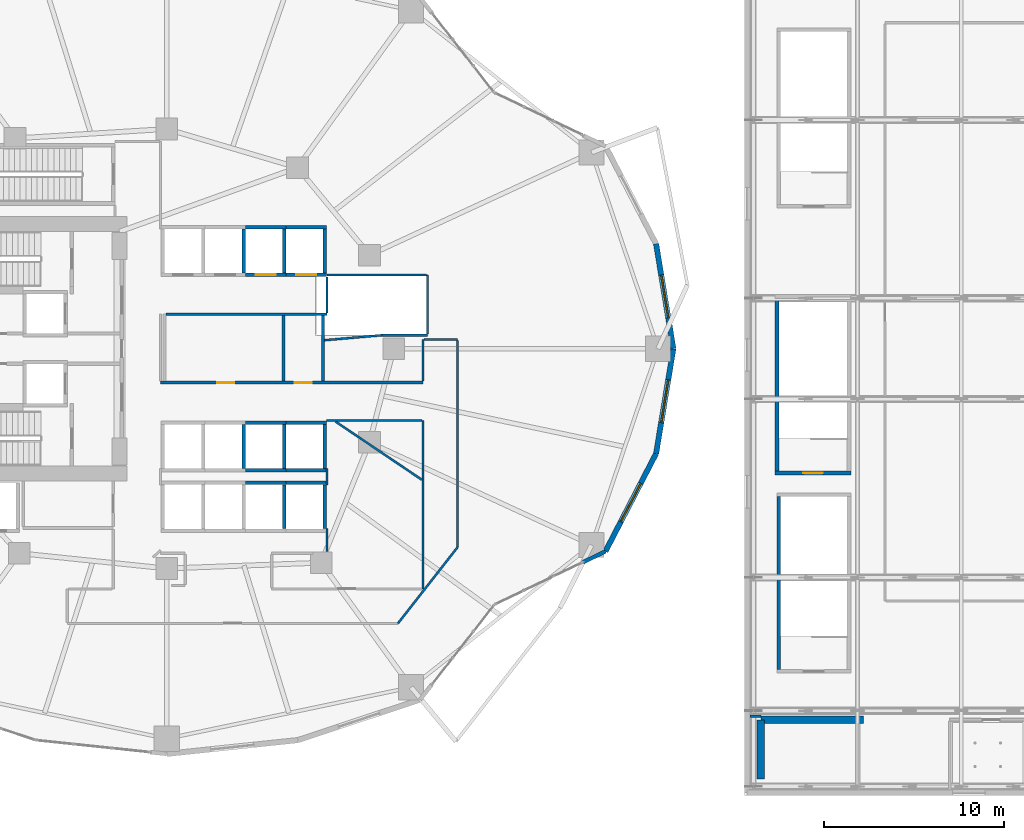
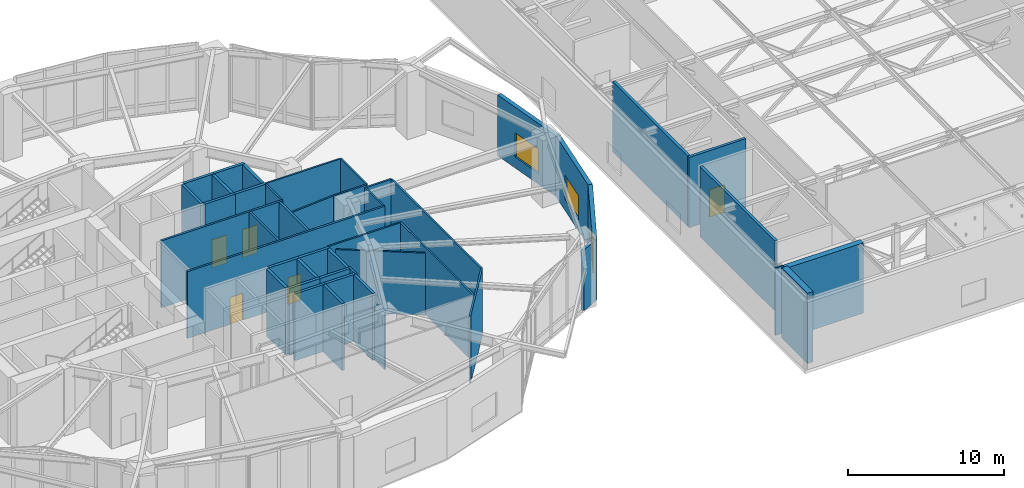
# One storey, part 23 of 29: 46 walls, 5 doors, 3 windows, 8 openings.
"""IFC4 building model written with IfcOpenShell, lengths in metres."""

from ifc_helpers import new_model, si_unit, direction, frame, frame_2d, origin, place, context, subcontext, project, spatial, rectangle, extrude, material, layer, layer_set, type_object, element, fill, save


model = new_model("IFC4")

# Units and contexts
model_context = context("Model", 3, precision=1e-05, world=origin(), true_north=direction((0.0, 1.0)))
body_context = subcontext(model_context, "Body", "Model", "MODEL_VIEW")
ifc_project = project(units=[si_unit("LENGTHUNIT", "METRE"), si_unit("AREAUNIT", "SQUARE_METRE"), si_unit("VOLUMEUNIT", "CUBIC_METRE"), si_unit("PLANEANGLEUNIT", "RADIAN"), si_unit("MASSUNIT", "GRAM", prefix="KILO")], contexts=[model_context])

# Site, building, storey
site_placement = place(None, origin())
site = spatial("IfcSite", under=ifc_project, at=site_placement, CompositionType="ELEMENT")
building_placement = place(site_placement, origin())
building = spatial("IfcBuilding", under=site, at=building_placement, Name="Kolvaren Gate Tower and Convention Centre", CompositionType="ELEMENT")
storey_placement = place(building_placement, frame((0.0, 0.0, 21.0)))
storey = spatial("IfcBuildingStorey", under=building, at=storey_placement, Name="L04", CompositionType="ELEMENT", Elevation=21.0)

# Walls
ifc_material_1 = material(Name="Fire-Rated Acoustic Gypsum Stud Partition", Category="gypsum")
ifc_layer_1 = layer(ifc_material_1, 0.1201171875)
ifc_layer_set_1 = layer_set([ifc_layer_1], Name="Fire-Rated Acoustic Gypsum Stud Partition")
wall_type_1 = type_object("IfcWallType", Name="ARCH-WL-PART-120", PredefinedType="PARTITIONING", material=ifc_layer_set_1)
wall_1_placement = place(storey_placement, frame((39.02001953125, 15.741943359375, 0.0), z_axis=(0.0, 0.0, 1.0), x_axis=(0.0, 1.0, 0.0)))
element("IfcWall", 1, at=wall_1_placement, inside=storey, type_object=wall_type_1, Name="Interior Partition WL-L04-INT-020", PredefinedType="PARTITIONING", context=body_context, shape_type="SweptSolid", body=[
    extrude(rectangle(XDim=1.26806640625, YDim=0.1201171875, at=frame_2d((0.634033203125, 0.0))), origin(), (0.0, 0.0, 1.0), 4.4541015625),
])
wall_2_placement = place(storey_placement, frame((39.02001953125, 19.43994140625, 0.0), z_axis=(0.0, 0.0, 1.0), x_axis=(0.0, 1.0, 0.0)))
element("IfcWall", 2, at=wall_2_placement, inside=storey, type_object=wall_type_1, Name="Interior Partition WL-L04-INT-020 (2)", PredefinedType="PARTITIONING", context=body_context, shape_type="SweptSolid", body=[
    extrude(rectangle(XDim=0.920166015625, YDim=0.1201171875, at=frame_2d((0.4599609375, 0.0))), origin(), (0.0, 0.0, 1.0), 5.219970703125),
])
wall_3_placement = place(storey_placement, frame((39.02001953125, 28.9970703125, 0.0), z_axis=(0.0, 0.0, 1.0), x_axis=(0.0, 1.0, 0.0)))
element("IfcWall", 3, at=wall_3_placement, inside=storey, type_object=wall_type_1, Name="Interior Partition WL-L04-INT-021", PredefinedType="PARTITIONING", context=body_context, shape_type="SweptSolid", body=[
    extrude(rectangle(XDim=1.98291015625, YDim=0.1201171875, at=frame_2d((0.991455078125, 0.0))), origin(), (0.0, 0.0, 1.0), 5.219970703125),
])
wall_4_placement = place(storey_placement, frame((44.35009765625, 13.669921875, 0.0), z_axis=(0.0, 0.0, 1.0), x_axis=(0.0, 1.0, 0.0)))
element("IfcWall", 4, at=wall_4_placement, inside=storey, type_object=wall_type_1, Name="Interior Partition WL-L04-INT-022", PredefinedType="PARTITIONING", context=body_context, shape_type="SweptSolid", body=[
    extrude(rectangle(XDim=9.35009765625, YDim=0.1201171875, at=frame_2d((4.675048828125, 0.0))), origin(), (0.0, 0.0, 1.0), 5.219970703125),
])
wall_5_placement = place(storey_placement, frame((44.35009765625, 25.197021484375, 0.0), z_axis=(0.0, 0.0, 1.0), x_axis=(0.0, 1.0, 0.0)))
element("IfcWall", 5, at=wall_5_placement, inside=storey, type_object=wall_type_1, Name="Interior Partition WL-L04-INT-023", PredefinedType="PARTITIONING", context=body_context, shape_type="SweptSolid", body=[
    extrude(rectangle(XDim=2.31298828125, YDim=0.1201171875, at=frame_2d((1.156494140625, 0.0))), origin(), (0.0, 0.0, 1.0), 5.219970703125),
])
wall_6_placement = place(storey_placement, frame((44.412109375, 27.510009765625, 0.0), z_axis=(0.0, 0.0, 1.0), x_axis=(1.0, 0.0, 0.0)))
element("IfcWall", 6, at=wall_6_placement, inside=storey, type_object=wall_type_1, Name="Interior Partition WL-L04-INT-024", PredefinedType="PARTITIONING", context=body_context, shape_type="SweptSolid", body=[
    extrude(rectangle(XDim=1.85791015625, YDim=0.1201171875, at=frame_2d((0.928955078125, 0.0))), origin(), (0.0, 0.0, 1.0), 5.219970703125),
])
wall_7_placement = place(storey_placement, frame((46.27001953125, 15.98193359375, 0.0), z_axis=(0.0, 0.0, 1.0), x_axis=(0.0, 1.0, 0.0)))
element("IfcWall", 7, at=wall_7_placement, inside=storey, type_object=wall_type_1, Name="Interior Partition WL-L04-INT-025", PredefinedType="PARTITIONING", context=body_context, shape_type="SweptSolid", body=[
    extrude(rectangle(XDim=11.466064453125, YDim=0.1201171875, at=frame_2d((5.73291015625, 0.0))), origin(), (0.0, 0.0, 1.0), 5.219970703125),
])
wall_8_placement = place(storey_placement, frame((42.95703125, 11.75, 0.0), z_axis=(0.0, 0.0, 1.0), x_axis=(0.616428289415, 0.78741105149, 0.0)))
element("IfcWall", 8, at=wall_8_placement, inside=storey, type_object=wall_type_1, Name="Interior Partition WL-L04-INT-026", PredefinedType="PARTITIONING", context=body_context, shape_type="SweptSolid", body=[
    extrude(rectangle(XDim=5.37451171875, YDim=0.1201171875, at=frame_2d((2.687255859375, 0.0))), origin(), (0.0, 0.0, 1.0), 5.219970703125),
])
wall_9_placement = place(storey_placement, frame((39.0, 23.02001953125, 0.0), z_axis=(0.0, 0.0, 1.0), x_axis=(1.0, 0.0, 0.0)))
element("IfcWall", 9, at=wall_9_placement, inside=storey, type_object=wall_type_1, Name="Interior Partition WL-L04-INT-036", PredefinedType="PARTITIONING", context=body_context, shape_type="SweptSolid", body=[
    extrude(rectangle(XDim=5.2880859375, YDim=0.1201171875, at=frame_2d((2.64404296875, 0.0))), origin(), (0.0, 0.0, 1.0), 5.219970703125),
])
wall_10_placement = place(storey_placement, frame((38.876953125, 27.470703125, 0.0), z_axis=(0.0, 0.0, 1.0), x_axis=(0.996203375591, 0.087056501541, 0.0)))
element("IfcWall", 10, at=wall_10_placement, inside=storey, type_object=wall_type_1, Name="Interior Partition WL-L04-INT-040", PredefinedType="PARTITIONING", context=body_context, shape_type="SweptSolid", body=[
    extrude(rectangle(XDim=3.208251953125, YDim=0.1201171875, at=frame_2d((1.60400390625, 0.0))), origin(), (0.0, 0.0, 1.0), 5.219970703125),
])
wall_11_placement = place(storey_placement, frame((42.072998046875, 27.75, 0.0), z_axis=(0.0, 0.0, 1.0), x_axis=(1.0, 0.0, 0.0)))
element("IfcWall", 11, at=wall_11_placement, inside=storey, type_object=wall_type_1, Name="Interior Partition WL-L04-INT-041", PredefinedType="PARTITIONING", context=body_context, shape_type="SweptSolid", body=[
    extrude(rectangle(XDim=2.527099609375, YDim=0.1201171875, at=frame_2d((1.263671875, 0.0))), origin(), (0.0, 0.0, 1.0), 5.219970703125),
])
wall_12_placement = place(storey_placement, frame((44.60009765625, 27.81201171875, 0.0), z_axis=(0.0, 0.0, 1.0), x_axis=(0.0, 1.0, 0.0)))
element("IfcWall", 12, at=wall_12_placement, inside=storey, type_object=wall_type_1, Name="Interior Partition WL-L04-INT-042", PredefinedType="PARTITIONING", context=body_context, shape_type="SweptSolid", body=[
    extrude(rectangle(XDim=3.2880859375, YDim=0.1201171875, at=frame_2d((1.64404296875, 0.0))), origin(), (0.0, 0.0, 1.0), 5.219970703125),
])
wall_13_placement = place(storey_placement, frame((39.02001953125, 31.10009765625, 0.0), z_axis=(0.0, 0.0, 1.0), x_axis=(1.0, 0.0, 0.0)))
element("IfcWall", 13, at=wall_13_placement, inside=storey, type_object=wall_type_1, Name="Interior Partition WL-L04-INT-043", PredefinedType="PARTITIONING", context=body_context, shape_type="SweptSolid", body=[
    extrude(rectangle(XDim=5.51806640625, YDim=0.1201171875, at=frame_2d((2.759033203125, 0.0))), origin(), (0.0, 0.0, 1.0), 5.219970703125),
])
wall_14_placement = place(storey_placement, frame((39.492919921875, 22.9580078125, 0.0), z_axis=(0.0, 0.0, 1.0), x_axis=(0.829057566687, -0.559163259808, 0.0)))
element("IfcWall", 14, at=wall_14_placement, inside=storey, type_object=wall_type_1, Name="Interior Partition WL-L04-INT-044", PredefinedType="PARTITIONING", context=body_context, shape_type="SweptSolid", body=[
    extrude(rectangle(XDim=5.783935546875, YDim=0.1201171875, at=frame_2d((2.89208984375, 0.0))), origin(), (0.0, 0.0, 1.0), 4.85498046875),
])
wall_15_placement = place(storey_placement, frame((62.501953125, 6.60009765625, 0.0), z_axis=(0.0, 0.0, 1.0), x_axis=(1.0, 0.0, 0.0)))
element("IfcWall", 15, at=wall_15_placement, inside=storey, type_object=wall_type_1, Name="Interior Partition WL-L04-INT-045", PredefinedType="PARTITIONING", context=body_context, shape_type="SweptSolid", body=[
    extrude(rectangle(XDim=0.59814453125, YDim=0.1201171875, at=frame_2d((0.299072265625, 0.0))), origin(), (0.0, 0.0, 1.0), 5.25),
])
ifc_material_2 = material(Name="Bogota Sabana Bush-Hammered Sandstone Cladding", Category="masonry")
ifc_layer_2 = layer(ifc_material_2, 0.219970703125)
ifc_layer_set_2 = layer_set([ifc_layer_2], Name="Bogota Sabana Bush-Hammered Sandstone Cladding")
wall_type_2 = type_object("IfcWallType", Name="ARCH-WL-PIER-220", PredefinedType="SOLIDWALL", material=ifc_layer_set_2)
wall_16_placement = place(storey_placement, frame((53.23681640625, 15.151611328125, 0.0), z_axis=(0.0, 0.0, 1.0), x_axis=(0.901316119915, 0.433161923512, 0.0)))
element("IfcWall", 16, at=wall_16_placement, inside=storey, type_object=wall_type_2, Name="Tower L04 Unitised Curtain Wall CW-POD-GLZ Bay 21 Right Column Pier Wrap", PredefinedType="SOLIDWALL", context=body_context, shape_type="SweptSolid", body=[
    extrude(rectangle(XDim=1.38134765625, YDim=0.219970703125, at=frame_2d((0.690673828125, 0.0))), origin(), (0.0, 0.0, 1.0), 4.742919921875),
])
ifc_material_3 = material(Name="Autoclaved Aerated Masonry Blockwork Class 4 (4.0 MPa)", Category="masonry")
ifc_layer_3 = layer(ifc_material_3, 0.199951171875)
ifc_layer_set_3 = layer_set([ifc_layer_3], Name="Autoclaved Aerated Masonry Blockwork Class 4 (4.0 MPa)")
wall_type_3 = type_object("IfcWallType", Name="ARCH-WL-SHAFT-200", PredefinedType="SOLIDWALL", material=ifc_layer_set_3)
wall_17_placement = place(storey_placement, frame((34.39990234375, 31.2099609375, 0.0), z_axis=(0.0, 0.0, 1.0), x_axis=(0.0, 1.0, 0.0)))
element("IfcWall", 17, at=wall_17_placement, inside=storey, type_object=wall_type_3, Name="Elevator PL-02 L04 Fire Shaft Wall E", PredefinedType="SOLIDWALL", context=body_context, shape_type="SweptSolid", body=[
    extrude(rectangle(XDim=2.429931640625, YDim=0.199951171875, at=frame_2d((1.21484375, 0.0))), origin(), (0.0, 0.0, 1.0), 5.219970703125),
])
wall_18_placement = place(storey_placement, frame((34.5, 33.75, 0.0), z_axis=(0.0, 0.0, 1.0), x_axis=(1.0, 0.0, 0.0)))
element("IfcWall", 18, at=wall_18_placement, inside=storey, type_object=wall_type_3, Name="Elevator PL-03 L04 Fire Shaft Wall N", PredefinedType="SOLIDWALL", context=body_context, shape_type="SweptSolid", body=[
    extrude(rectangle(XDim=2.25, YDim=0.199951171875, at=frame_2d((1.125, 0.0))), origin(), (0.0, 0.0, 1.0), 5.219970703125),
])

# Wall, opening, door
wall_19_placement = place(storey_placement, frame((34.5, 31.10009765625, 0.0), z_axis=(0.0, 0.0, 1.0), x_axis=(1.0, 0.0, 0.0)))
wall_19 = element("IfcWall", 19, at=wall_19_placement, inside=storey, type_object=wall_type_3, Name="Elevator PL-03 L04 Fire Shaft Wall S", PredefinedType="SOLIDWALL", context=body_context, shape_type="SweptSolid", body=[
    extrude(rectangle(XDim=2.25, YDim=0.199951171875, at=frame_2d((1.125, 0.0))), origin(), (0.0, 0.0, 1.0), 5.219970703125),
])
opening_1_placement = place(wall_19_placement, frame((0.574951171875, 0.0, 0.0)))
opening_1 = element("IfcOpeningElement", 20, at=opening_1_placement, cuts=wall_19, Name="Opening LD", PredefinedType="OPENING", context=body_context, shape_type="SweptSolid", body=[
    extrude(rectangle(XDim=1.10009765625, YDim=2.199951171875, at=frame_2d((0.550048828125, 1.10009765625))), frame((0.0, 0.10986328125, 0.0), z_axis=(0.0, -1.0, 0.0), x_axis=(1.0, 0.0, 0.0)), (0.0, 0.0, 1.0), 0.219970703125),
])
ifc_material_4 = material(Name="Brushed Stainless Steel Grade 316L", Category="steel")
door_type_1 = type_object("IfcDoorType", Name="ARCH-DR-LIFT-1100", OperationType="SLIDING_TO_LEFT", PredefinedType="DOOR", material=ifc_material_4)
door_1_placement = place(opening_1_placement, origin())
door_1 = element("IfcDoor", 21, at=door_1_placement, inside=storey, type_object=door_type_1, Name="Elevator PL-03 L04 Sliding Landing Door", OperationType="SLIDING_TO_LEFT", OverallHeight=2.199951171875, OverallWidth=1.10009765625, PredefinedType="DOOR", context=body_context, shape_type="SweptSolid", body=[
    extrude(rectangle(XDim=1.10009765625, YDim=2.199951171875, at=frame_2d((0.550048828125, 1.10009765625))), frame((0.0, 0.02490234375, 0.0), z_axis=(0.0, -1.0, 0.0), x_axis=(1.0, 0.0, 0.0)), (0.0, 0.0, 1.0), 0.050048828125),
])
fill(opening_1, door_1)

# Walls
wall_20_placement = place(storey_placement, frame((36.64990234375, 31.2099609375, 0.0), z_axis=(0.0, 0.0, 1.0), x_axis=(0.0, 1.0, 0.0)))
element("IfcWall", 22, at=wall_20_placement, inside=storey, type_object=wall_type_3, Name="Elevator PL-03 L04 Fire Shaft Wall E", PredefinedType="SOLIDWALL", context=body_context, shape_type="SweptSolid", body=[
    extrude(rectangle(XDim=2.429931640625, YDim=0.199951171875, at=frame_2d((1.21484375, 0.0))), origin(), (0.0, 0.0, 1.0), 5.219970703125),
])
wall_21_placement = place(storey_placement, frame((36.75, 33.75, 0.0), z_axis=(0.0, 0.0, 1.0), x_axis=(1.0, 0.0, 0.0)))
element("IfcWall", 23, at=wall_21_placement, inside=storey, type_object=wall_type_3, Name="Elevator PL-04 L04 Fire Shaft Wall N", PredefinedType="SOLIDWALL", context=body_context, shape_type="SweptSolid", body=[
    extrude(rectangle(XDim=2.25, YDim=0.199951171875, at=frame_2d((1.125, 0.0))), origin(), (0.0, 0.0, 1.0), 5.219970703125),
])

# Wall, opening, door
wall_22_placement = place(storey_placement, frame((36.75, 31.10009765625, 0.0), z_axis=(0.0, 0.0, 1.0), x_axis=(1.0, 0.0, 0.0)))
wall_22 = element("IfcWall", 24, at=wall_22_placement, inside=storey, type_object=wall_type_3, Name="Elevator PL-04 L04 Fire Shaft Wall S", PredefinedType="SOLIDWALL", context=body_context, shape_type="SweptSolid", body=[
    extrude(rectangle(XDim=2.25, YDim=0.199951171875, at=frame_2d((1.125, 0.0))), origin(), (0.0, 0.0, 1.0), 5.219970703125),
])
opening_2_placement = place(wall_22_placement, frame((0.574951171875, 0.0, 0.0)))
opening_2 = element("IfcOpeningElement", 25, at=opening_2_placement, cuts=wall_22, Name="Opening LD", PredefinedType="OPENING", context=body_context, shape_type="SweptSolid", body=[
    extrude(rectangle(XDim=1.10009765625, YDim=2.199951171875, at=frame_2d((0.550048828125, 1.10009765625))), frame((0.0, 0.10986328125, 0.0), z_axis=(0.0, -1.0, 0.0), x_axis=(1.0, 0.0, 0.0)), (0.0, 0.0, 1.0), 0.219970703125),
])
door_2_placement = place(opening_2_placement, origin())
door_2 = element("IfcDoor", 26, at=door_2_placement, inside=storey, type_object=door_type_1, Name="Elevator PL-04 L04 Sliding Landing Door", OperationType="SLIDING_TO_LEFT", OverallHeight=2.199951171875, OverallWidth=1.10009765625, PredefinedType="DOOR", context=body_context, shape_type="SweptSolid", body=[
    extrude(rectangle(XDim=1.10009765625, YDim=2.199951171875, at=frame_2d((0.550048828125, 1.10009765625))), frame((0.0, 0.02490234375, 0.0), z_axis=(0.0, -1.0, 0.0), x_axis=(1.0, 0.0, 0.0)), (0.0, 0.0, 1.0), 0.050048828125),
])
fill(opening_2, door_2)

# Walls
wall_23_placement = place(storey_placement, frame((38.89990234375, 31.2099609375, 0.0), z_axis=(0.0, 0.0, 1.0), x_axis=(0.0, 1.0, 0.0)))
element("IfcWall", 27, at=wall_23_placement, inside=storey, type_object=wall_type_3, Name="Elevator PL-04 L04 Fire Shaft Wall E", PredefinedType="SOLIDWALL", context=body_context, shape_type="SweptSolid", body=[
    extrude(rectangle(XDim=2.429931640625, YDim=0.199951171875, at=frame_2d((1.21484375, 0.0))), origin(), (0.0, 0.0, 1.0), 5.219970703125),
])
wall_24_placement = place(storey_placement, frame((34.5, 19.550048828125, 0.0), z_axis=(0.0, 0.0, 1.0), x_axis=(1.0, 0.0, 0.0)))
element("IfcWall", 28, at=wall_24_placement, inside=storey, type_object=wall_type_3, Name="Elevator PL-07 L04 Fire Shaft Wall N", PredefinedType="SOLIDWALL", context=body_context, shape_type="SweptSolid", body=[
    extrude(rectangle(XDim=2.25, YDim=0.199951171875, at=frame_2d((1.125, 0.0))), origin(), (0.0, 0.0, 1.0), 5.219970703125),
])
wall_25_placement = place(storey_placement, frame((36.64990234375, 17.010009765625, 0.0), z_axis=(0.0, 0.0, 1.0), x_axis=(0.0, 1.0, 0.0)))
element("IfcWall", 29, at=wall_25_placement, inside=storey, type_object=wall_type_3, Name="Elevator PL-07 L04 Fire Shaft Wall E", PredefinedType="SOLIDWALL", context=body_context, shape_type="SweptSolid", body=[
    extrude(rectangle(XDim=2.429931640625, YDim=0.199951171875, at=frame_2d((1.21484375, 0.0))), origin(), (0.0, 0.0, 1.0), 5.219970703125),
])
wall_26_placement = place(storey_placement, frame((36.75, 19.550048828125, 0.0), z_axis=(0.0, 0.0, 1.0), x_axis=(1.0, 0.0, 0.0)))
element("IfcWall", 30, at=wall_26_placement, inside=storey, type_object=wall_type_3, Name="Elevator PL-08 L04 Fire Shaft Wall N", PredefinedType="SOLIDWALL", context=body_context, shape_type="SweptSolid", body=[
    extrude(rectangle(XDim=2.25, YDim=0.199951171875, at=frame_2d((1.125, 0.0))), origin(), (0.0, 0.0, 1.0), 5.219970703125),
])
for number, where, z_axis, x_axis, name in (
    (31, (38.89990234375, 17.010009765625, 0.0), (0.0, 0.0, 1.0), (0.0, 1.0, 0.0), "Elevator PL-08 L04 Fire Shaft Wall E"),
    (32, (34.39990234375, 20.360107421875, 0.0), (0.0, 0.0, 1.0), (0.0, 1.0, 0.0), "Elevator PL-10 L04 Fire Shaft Wall E"),
):
    element("IfcWall", number, at=place(storey_placement, frame(where, z_axis=z_axis, x_axis=x_axis)), inside=storey, type_object=wall_type_3, Name=name, PredefinedType="SOLIDWALL", context=body_context, shape_type="SweptSolid", body=[
        extrude(rectangle(XDim=2.429931640625, YDim=0.199951171875, at=frame_2d((1.21484375, 0.0))), origin(), (0.0, 0.0, 1.0), 5.219970703125),
    ])
for number, where, z_axis, x_axis, name in (
    (33, (34.5, 22.89990234375, 0.0), (0.0, 0.0, 1.0), (1.0, 0.0, 0.0), "Elevator PL-11 L04 Fire Shaft Wall N"),
    (34, (34.5, 20.25, 0.0), (0.0, 0.0, 1.0), (1.0, 0.0, 0.0), "Elevator PL-11 L04 Fire Shaft Wall S"),
):
    element("IfcWall", number, at=place(storey_placement, frame(where, z_axis=z_axis, x_axis=x_axis)), inside=storey, type_object=wall_type_3, Name=name, PredefinedType="SOLIDWALL", context=body_context, shape_type="SweptSolid", body=[
        extrude(rectangle(XDim=2.25, YDim=0.199951171875, at=frame_2d((1.125, 0.0))), origin(), (0.0, 0.0, 1.0), 5.219970703125),
    ])
wall_27_placement = place(storey_placement, frame((36.64990234375, 20.360107421875, 0.0), z_axis=(0.0, 0.0, 1.0), x_axis=(0.0, 1.0, 0.0)))
element("IfcWall", 35, at=wall_27_placement, inside=storey, type_object=wall_type_3, Name="Elevator PL-11 L04 Fire Shaft Wall E", PredefinedType="SOLIDWALL", context=body_context, shape_type="SweptSolid", body=[
    extrude(rectangle(XDim=2.429931640625, YDim=0.199951171875, at=frame_2d((1.21484375, 0.0))), origin(), (0.0, 0.0, 1.0), 5.219970703125),
])
for number, where, z_axis, x_axis, name in (
    (36, (36.75, 22.89990234375, 0.0), (0.0, 0.0, 1.0), (1.0, 0.0, 0.0), "Elevator PL-12 L04 Fire Shaft Wall N"),
    (37, (36.75, 20.25, 0.0), (0.0, 0.0, 1.0), (1.0, 0.0, 0.0), "Elevator PL-12 L04 Fire Shaft Wall S"),
):
    element("IfcWall", number, at=place(storey_placement, frame(where, z_axis=z_axis, x_axis=x_axis)), inside=storey, type_object=wall_type_3, Name=name, PredefinedType="SOLIDWALL", context=body_context, shape_type="SweptSolid", body=[
        extrude(rectangle(XDim=2.25, YDim=0.199951171875, at=frame_2d((1.125, 0.0))), origin(), (0.0, 0.0, 1.0), 5.219970703125),
    ])
wall_28_placement = place(storey_placement, frame((38.89990234375, 20.360107421875, 0.0), z_axis=(0.0, 0.0, 1.0), x_axis=(0.0, 1.0, 0.0)))
element("IfcWall", 38, at=wall_28_placement, inside=storey, type_object=wall_type_3, Name="Elevator PL-12 L04 Fire Shaft Wall E", PredefinedType="SOLIDWALL", context=body_context, shape_type="SweptSolid", body=[
    extrude(rectangle(XDim=2.429931640625, YDim=0.199951171875, at=frame_2d((1.21484375, 0.0))), origin(), (0.0, 0.0, 1.0), 5.219970703125),
])

# Wall, opening, window
ifc_material_5 = material(Name="Piedmont Cream Honed Limestone Cladding", Category="masonry")
ifc_layer_4 = layer(ifc_material_5, 0.300048828125)
ifc_layer_set_4 = layer_set([ifc_layer_4], Name="Piedmont Cream Honed Limestone Cladding")
wall_type_4 = type_object("IfcWallType", Name="ARCH-WL-STONE-300", PredefinedType="SOLIDWALL", material=ifc_layer_set_4)
wall_29_placement = place(storey_placement, frame((57.291748046875, 32.823486328125, 0.0), z_axis=(0.0, 0.0, 1.0), x_axis=(0.162366057843, -0.98673059305, 0.0)))
wall_29 = element("IfcWall", 39, at=wall_29_placement, inside=storey, type_object=wall_type_4, Name="Tower L04 Honed Stone Spandrel Wall EW-00", PredefinedType="SOLIDWALL", context=body_context, shape_type="SweptSolid", body=[
    extrude(rectangle(XDim=5.90185546875, YDim=0.300048828125, at=frame_2d((2.950927734375, 0.0))), origin(), (0.0, 0.0, 1.0), 4.742919921875),
])
opening_3_placement = place(wall_29_placement, frame((1.7509765625, 0.0, 0.85009765625)))
opening_3 = element("IfcOpeningElement", 40, at=opening_3_placement, cuts=wall_29, Name="Opening W-01", PredefinedType="OPENING", context=body_context, shape_type="SweptSolid", body=[
    extrude(rectangle(XDim=2.39990234375, YDim=1.89990234375, at=frame_2d((1.199951171875, 0.949951171875))), frame((0.0, 0.159912109375, 0.0), z_axis=(0.0, -1.0, 0.0), x_axis=(1.0, 0.0, 0.0)), (0.0, 0.0, 1.0), 0.320068359375),
])
ifc_material_6 = material(Name="Low-E Triple Insulated Glazing Unit 44 mm", Category="glass")
window_type = type_object("IfcWindowType", Name="ARCH-WN-OFF-2400", PartitioningType="SINGLE_PANEL", PredefinedType="WINDOW", material=ifc_material_6)
window_1_placement = place(opening_3_placement, origin())
window_1 = element("IfcWindow", 41, at=window_1_placement, inside=storey, type_object=window_type, Name="Tower L04 Punched Stone Facade Window W-00", OverallHeight=1.89990234375, OverallWidth=2.39990234375, PartitioningType="SINGLE_PANEL", PredefinedType="WINDOW", context=body_context, shape_type="SweptSolid", body=[
    extrude(rectangle(XDim=2.39990234375, YDim=1.89990234375, at=frame_2d((1.199951171875, 0.949951171875))), frame((0.0, 0.030029296875, 0.0), z_axis=(0.0, -1.0, 0.0), x_axis=(1.0, 0.0, 0.0)), (0.0, 0.0, 1.0), 0.06005859375),
])
fill(opening_3, window_1)

wall_30_placement = place(storey_placement, frame((54.48193359375, 15.75, 0.0), z_axis=(0.0, 0.0, 1.0), x_axis=(0.459809804413, 0.88801742312, 0.0)))
wall_30 = element("IfcWall", 42, at=wall_30_placement, inside=storey, type_object=wall_type_4, Name="Tower L04 Honed Stone Spandrel Wall EW-22", PredefinedType="SOLIDWALL", context=body_context, shape_type="SweptSolid", body=[
    extrude(rectangle(XDim=6.11083984375, YDim=0.300048828125, at=frame_2d((3.055419921875, 0.0))), origin(), (0.0, 0.0, 1.0), 4.742919921875),
])
opening_4_placement = place(wall_30_placement, frame((1.85498046875, 0.0, 0.85009765625)))
opening_4 = element("IfcOpeningElement", 43, at=opening_4_placement, cuts=wall_30, Name="Opening W-01", PredefinedType="OPENING", context=body_context, shape_type="SweptSolid", body=[
    extrude(rectangle(XDim=2.39990234375, YDim=1.89990234375, at=frame_2d((1.199951171875, 0.949951171875))), frame((0.0, 0.159912109375, 0.0), z_axis=(0.0, -1.0, 0.0), x_axis=(1.0, 0.0, 0.0)), (0.0, 0.0, 1.0), 0.320068359375),
])
window_2_placement = place(opening_4_placement, origin())
window_2 = element("IfcWindow", 44, at=window_2_placement, inside=storey, type_object=window_type, Name="Tower L04 Punched Stone Facade Window W-22", OverallHeight=1.89990234375, OverallWidth=2.39990234375, PartitioningType="SINGLE_PANEL", PredefinedType="WINDOW", context=body_context, shape_type="SweptSolid", body=[
    extrude(rectangle(XDim=2.39990234375, YDim=1.89990234375, at=frame_2d((1.199951171875, 0.949951171875))), frame((0.0, 0.030029296875, 0.0), z_axis=(0.0, -1.0, 0.0), x_axis=(1.0, 0.0, 0.0)), (0.0, 0.0, 1.0), 0.06005859375),
])
fill(opening_4, window_2)

wall_31_placement = place(storey_placement, frame((57.291748046875, 21.176513671875, 0.0), z_axis=(0.0, 0.0, 1.0), x_axis=(0.162366057843, 0.98673059305, 0.0)))
wall_31 = element("IfcWall", 45, at=wall_31_placement, inside=storey, type_object=wall_type_4, Name="Tower L04 Honed Stone Spandrel Wall EW-23", PredefinedType="SOLIDWALL", context=body_context, shape_type="SweptSolid", body=[
    extrude(rectangle(XDim=5.90185546875, YDim=0.300048828125, at=frame_2d((2.950927734375, 0.0))), origin(), (0.0, 0.0, 1.0), 4.742919921875),
])
opening_5_placement = place(wall_31_placement, frame((1.7509765625, 0.0, 0.85009765625)))
opening_5 = element("IfcOpeningElement", 46, at=opening_5_placement, cuts=wall_31, Name="Opening W-01", PredefinedType="OPENING", context=body_context, shape_type="SweptSolid", body=[
    extrude(rectangle(XDim=2.39990234375, YDim=1.89990234375, at=frame_2d((1.199951171875, 0.949951171875))), frame((0.0, 0.159912109375, 0.0), z_axis=(0.0, -1.0, 0.0), x_axis=(1.0, 0.0, 0.0)), (0.0, 0.0, 1.0), 0.320068359375),
])
window_3_placement = place(opening_5_placement, origin())
window_3 = element("IfcWindow", 47, at=window_3_placement, inside=storey, type_object=window_type, Name="Tower L04 Punched Stone Facade Window W-23", OverallHeight=1.89990234375, OverallWidth=2.39990234375, PartitioningType="SINGLE_PANEL", PredefinedType="WINDOW", context=body_context, shape_type="SweptSolid", body=[
    extrude(rectangle(XDim=2.39990234375, YDim=1.89990234375, at=frame_2d((1.199951171875, 0.949951171875))), frame((0.0, 0.030029296875, 0.0), z_axis=(0.0, -1.0, 0.0), x_axis=(1.0, 0.0, 0.0)), (0.0, 0.0, 1.0), 0.06005859375),
])
fill(opening_5, window_3)

# Wall, openings, doors
ifc_material_7 = material(Name="Moisture-Resistant Cement-Board Acoustic Partition", Category="gypsum")
ifc_layer_5 = layer(ifc_material_7, 0.14990234375)
ifc_layer_set_5 = layer_set([ifc_layer_5], Name="Moisture-Resistant Cement-Board Acoustic Partition")
wall_type_5 = type_object("IfcWallType", Name="ARCH-WL-WET-150", PredefinedType="PARTITIONING", material=ifc_layer_set_5)
wall_32_placement = place(storey_placement, frame((29.780029296875, 25.1201171875, 0.0), z_axis=(0.0, 0.0, 1.0), x_axis=(1.0, 0.0, 0.0)))
wall_32 = element("IfcWall", 48, at=wall_32_placement, inside=storey, type_object=wall_type_5, Name="Interior Partition WL-L04-INT-012", PredefinedType="PARTITIONING", context=body_context, shape_type="SweptSolid", body=[
    extrude(rectangle(XDim=14.570068359375, YDim=0.14990234375, at=frame_2d((7.28515625, 0.0))), origin(), (0.0, 0.0, 1.0), 5.219970703125),
])
opening_6_placement = place(wall_32_placement, frame((3.139892578125, 0.0, 0.0)))
opening_6 = element("IfcOpeningElement", 49, at=opening_6_placement, cuts=wall_32, Name="Opening DR-01", PredefinedType="OPENING", context=body_context, shape_type="SweptSolid", body=[
    extrude(rectangle(XDim=0.949951171875, YDim=2.10009765625, at=frame_2d((0.47509765625, 1.050048828125))), frame((0.0, 0.0849609375, 0.0), z_axis=(0.0, -1.0, 0.0), x_axis=(1.0, 0.0, 0.0)), (0.0, 0.0, 1.0), 0.169921875),
])
opening_7_placement = place(wall_32_placement, frame((7.445068359375, 0.0, 0.0)))
opening_7 = element("IfcOpeningElement", 50, at=opening_7_placement, cuts=wall_32, Name="Opening DR-01", PredefinedType="OPENING", context=body_context, shape_type="SweptSolid", body=[
    extrude(rectangle(XDim=0.949951171875, YDim=2.10009765625, at=frame_2d((0.47509765625, 1.050048828125))), frame((0.0, 0.0849609375, 0.0), z_axis=(0.0, -1.0, 0.0), x_axis=(1.0, 0.0, 0.0)), (0.0, 0.0, 1.0), 0.169921875),
])
ifc_material_8 = material(Name="Painted Architectural Steelwork ASTM A500 Grade C 345 MPa", Category="steel")
door_type_2 = type_object("IfcDoorType", Name="ARCH-DR-RISER-950", OperationType="SINGLE_SWING_RIGHT", PredefinedType="DOOR", material=ifc_material_8)
door_3_placement = place(opening_6_placement, origin())
door_3 = element("IfcDoor", 51, at=door_3_placement, inside=storey, type_object=door_type_2, Name="Accessible Universal Washroom Door", OperationType="SINGLE_SWING_LEFT", OverallHeight=2.10009765625, OverallWidth=0.949951171875, PredefinedType="DOOR", context=body_context, shape_type="SweptSolid", body=[
    extrude(rectangle(XDim=0.949951171875, YDim=2.10009765625, at=frame_2d((0.47509765625, 1.050048828125))), frame((0.0, 0.02490234375, 0.0), z_axis=(0.0, -1.0, 0.0), x_axis=(1.0, 0.0, 0.0)), (0.0, 0.0, 1.0), 0.050048828125),
])
fill(opening_6, door_3)
door_4_placement = place(opening_7_placement, origin())
door_4 = element("IfcDoor", 52, at=door_4_placement, inside=storey, type_object=door_type_2, Name="Floor Janitor and Supply Store Door", OperationType="SINGLE_SWING_RIGHT", OverallHeight=2.10009765625, OverallWidth=0.949951171875, PredefinedType="DOOR", context=body_context, shape_type="SweptSolid", body=[
    extrude(rectangle(XDim=0.949951171875, YDim=2.10009765625, at=frame_2d((0.47509765625, 1.050048828125))), frame((0.0, 0.02490234375, 0.0), z_axis=(0.0, -1.0, 0.0), x_axis=(1.0, 0.0, 0.0)), (0.0, 0.0, 1.0), 0.050048828125),
])
fill(opening_7, door_4)

# Walls
wall_33_placement = place(storey_placement, frame((30.076904296875, 28.919921875, 0.0), z_axis=(0.0, 0.0, 1.0), x_axis=(1.0, 0.0, 0.0)))
element("IfcWall", 53, at=wall_33_placement, inside=storey, type_object=wall_type_5, Name="Interior Partition WL-L04-INT-014", PredefinedType="PARTITIONING", context=body_context, shape_type="SweptSolid", body=[
    extrude(rectangle(XDim=8.943115234375, YDim=0.14990234375, at=frame_2d((4.4716796875, 0.0))), origin(), (0.0, 0.0, 1.0), 5.219970703125),
])
for number, where, z_axis, x_axis, name in (
    (54, (36.60009765625, 25.197021484375, 0.0), (0.0, 0.0, 1.0), (0.0, 1.0, 0.0), "Interior Partition WL-L04-INT-015"),
    (55, (38.800048828125, 25.197021484375, 0.0), (0.0, 0.0, 1.0), (0.0, 1.0, 0.0), "Interior Partition WL-L04-INT-016"),
):
    element("IfcWall", number, at=place(storey_placement, frame(where, z_axis=z_axis, x_axis=x_axis)), inside=storey, type_object=wall_type_5, Name=name, PredefinedType="PARTITIONING", context=body_context, shape_type="SweptSolid", body=[
        extrude(rectangle(XDim=3.64599609375, YDim=0.14990234375, at=frame_2d((1.822998046875, 0.0))), origin(), (0.0, 0.0, 1.0), 5.219970703125),
    ])
ifc_material_9 = material(Name="Concrete C50/60", Category="concrete")
ifc_layer_6 = layer(ifc_material_9, 0.419921875)
ifc_layer_set_6 = layer_set([ifc_layer_6], Name="Concrete C50/60")
wall_type_6 = type_object("IfcWallType", Name="STR-WL-CONV-420", PredefinedType="SHEAR", material=ifc_layer_set_6)
wall_34_placement = place(storey_placement, frame((63.10009765625, 3.10009765625, -0.239990234375), z_axis=(0.0, 0.0, 1.0), x_axis=(0.0, 1.0, 0.0)))
element("IfcWall", 56, at=wall_34_placement, inside=storey, type_object=wall_type_6, Name="Convention L04 Shear Core Wall CCSW-W", PredefinedType="SHEAR", context=body_context, shape_type="SweptSolid", body=[
    extrude(rectangle(XDim=3.2998046875, YDim=0.419921875, at=frame_2d((1.64990234375, 0.0))), origin(), (0.0, 0.0, 1.0), 5.489990234375),
])
wall_35_placement = place(storey_placement, frame((63.10009765625, 6.39990234375, -0.239990234375), z_axis=(0.0, 0.0, 1.0), x_axis=(1.0, 0.0, 0.0)))
element("IfcWall", 57, at=wall_35_placement, inside=storey, type_object=wall_type_6, Name="Convention L04 Shear Core Wall CCSW-N", PredefinedType="SHEAR", context=body_context, shape_type="SweptSolid", body=[
    extrude(rectangle(XDim=5.699951171875, YDim=0.419921875, at=frame_2d((2.85009765625, 0.0))), origin(), (0.0, 0.0, 1.0), 5.489990234375),
])
ifc_layer_7 = layer(ifc_material_9, 0.199951171875)
ifc_layer_set_7 = layer_set([ifc_layer_7], Name="Concrete C50/60")
wall_type_7 = type_object("IfcWallType", Name="STR-WL-SHAFT-200", PredefinedType="SHEAR", material=ifc_layer_set_7)
wall_36_placement = place(storey_placement, frame((64.10009765625, 9.201904296875, -0.239990234375), z_axis=(0.0, 0.0, 1.0), x_axis=(0.0, 1.0, 0.0)))
element("IfcWall", 58, at=wall_36_placement, inside=storey, type_object=wall_type_7, Name="Convention SW Exit Stair ST-C2 L04 Structural Shear Enclosure Wall WEST", PredefinedType="SHEAR", context=body_context, shape_type="SweptSolid", body=[
    extrude(rectangle(XDim=9.59619140625, YDim=0.199951171875, at=frame_2d((4.798095703125, 0.0))), origin(), (0.0, 0.0, 1.0), 5.489990234375),
])

# Wall, opening, door
wall_37_placement = place(storey_placement, frame((63.89990234375, 20.10009765625, -0.239990234375), z_axis=(0.0, 0.0, 1.0), x_axis=(1.0, 0.0, 0.0)))
wall_37 = element("IfcWall", 59, at=wall_37_placement, inside=storey, type_object=wall_type_7, Name="Convention West Assembly Stair ST-C5 L04 Structural Shear Enclosure Wall NEAR", PredefinedType="SHEAR", context=body_context, shape_type="SweptSolid", body=[
    extrude(rectangle(XDim=4.2001953125, YDim=0.199951171875, at=frame_2d((2.10009765625, 0.0))), origin(), (0.0, 0.0, 1.0), 5.489990234375),
])
opening_8_placement = place(wall_37_placement, frame((1.550048828125, 0.0, 0.239990234375)))
opening_8 = element("IfcOpeningElement", 60, at=opening_8_placement, cuts=wall_37, Name="Opening DS-01", PredefinedType="OPENING", context=body_context, shape_type="SweptSolid", body=[
    extrude(rectangle(XDim=1.10009765625, YDim=2.14990234375, at=frame_2d((0.550048828125, 1.074951171875))), frame((0.0, 0.10986328125, 0.0), z_axis=(0.0, -1.0, 0.0), x_axis=(1.0, 0.0, 0.0)), (0.0, 0.0, 1.0), 0.219970703125),
])
door_type_3 = type_object("IfcDoorType", Name="ARCH-DR-STAIR-1100", OperationType="SINGLE_SWING_LEFT", PredefinedType="DOOR", material=ifc_material_8)
door_5_placement = place(opening_8_placement, origin())
door_5 = element("IfcDoor", 61, at=door_5_placement, inside=storey, type_object=door_type_3, Name="Convention West Assembly Stair ST-C5 L04 Fire Exit Stair Door", OperationType="SINGLE_SWING_RIGHT", OverallHeight=2.14990234375, OverallWidth=1.10009765625, PredefinedType="DOOR", context=body_context, shape_type="SweptSolid", body=[
    extrude(rectangle(XDim=1.10009765625, YDim=2.14990234375, at=frame_2d((0.550048828125, 1.074951171875))), frame((0.0, 0.02490234375, 0.0), z_axis=(0.0, -1.0, 0.0), x_axis=(1.0, 0.0, 0.0)), (0.0, 0.0, 1.0), 0.050048828125),
])
fill(opening_8, door_5)

# Wall
wall_38_placement = place(storey_placement, frame((64.0, 20.201904296875, -0.239990234375), z_axis=(0.0, 0.0, 1.0), x_axis=(0.0, 1.0, 0.0)))
element("IfcWall", 62, at=wall_38_placement, inside=storey, type_object=wall_type_7, Name="Convention West Assembly Stair ST-C5 L04 Structural Shear Enclosure Wall WEST", PredefinedType="SHEAR", context=body_context, shape_type="SweptSolid", body=[
    extrude(rectangle(XDim=9.59619140625, YDim=0.199951171875, at=frame_2d((4.798095703125, 0.0))), origin(), (0.0, 0.0, 1.0), 5.489990234375),
])

save(model, "model.ifc")
